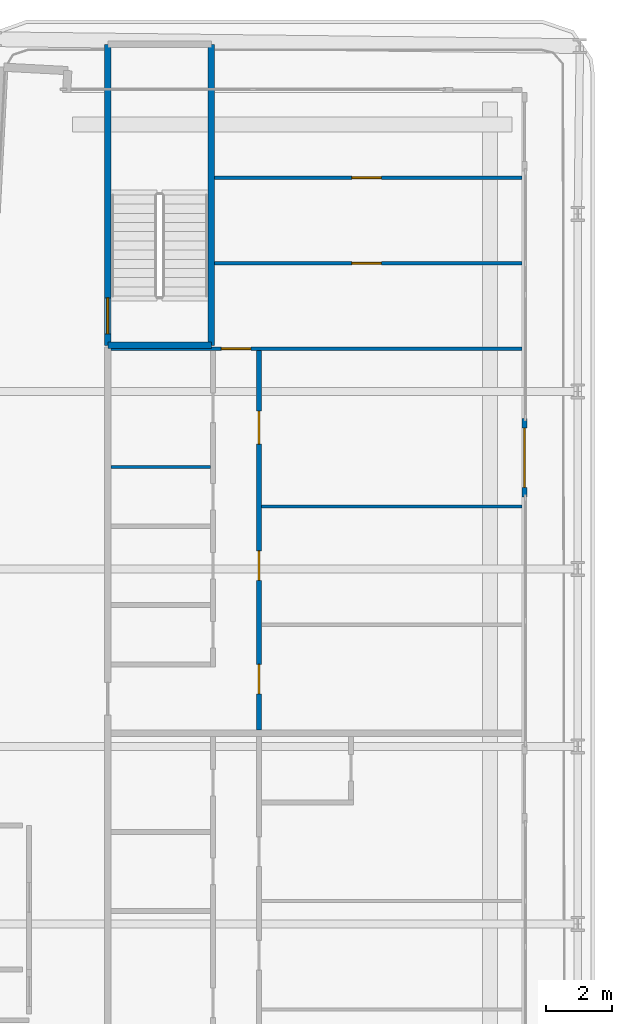
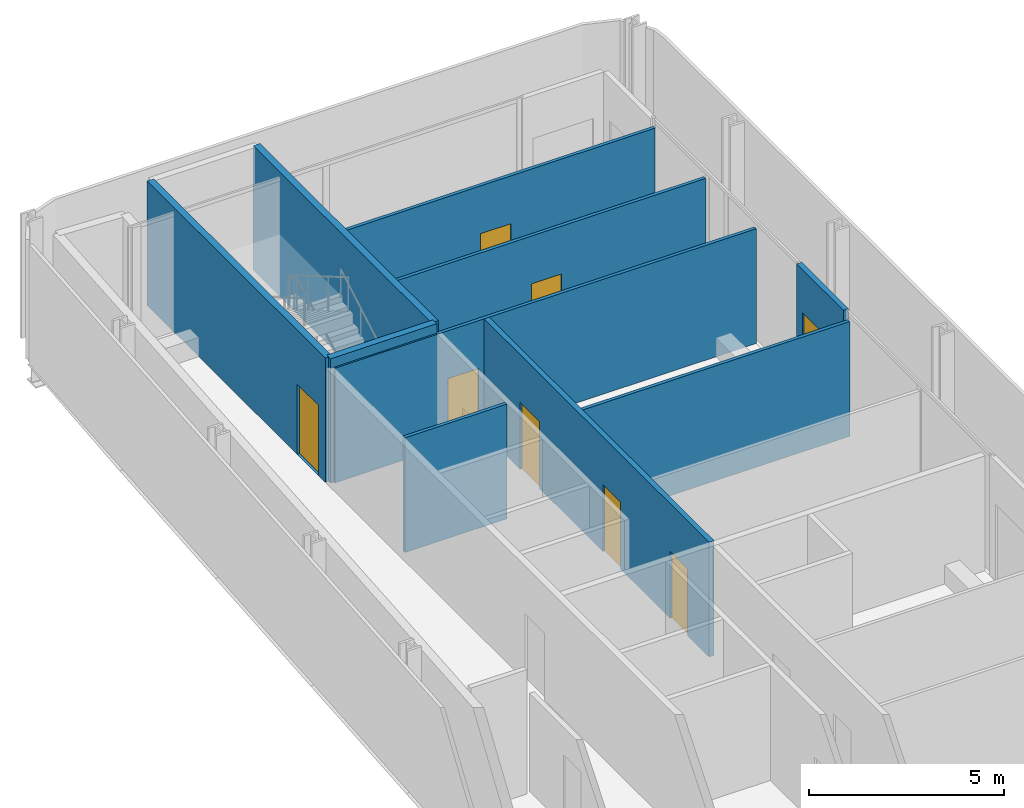
# One storey, part 18 of 27: 10 walls, 8 doors, 8 openings.
"""IFC4 building model written with IfcOpenShell, lengths in metres."""

from ifc_helpers import new_model, si_unit, direction, frame, frame_2d, origin, place, context, subcontext, project, spatial, rectangle, extrude, source, transform, mapped, material, layer, layer_set, type_object, element, fill, save


model = new_model("IFC4")

# Units and contexts
model_context = context("Model", 3, precision=1e-05, world=origin(), true_north=direction((0.0, 1.0)))
body_context = subcontext(model_context, "Body", "Model", "MODEL_VIEW")
ifc_project = project(units=[si_unit("LENGTHUNIT", "METRE"), si_unit("AREAUNIT", "SQUARE_METRE"), si_unit("VOLUMEUNIT", "CUBIC_METRE"), si_unit("PLANEANGLEUNIT", "RADIAN"), si_unit("MASSUNIT", "GRAM", prefix="KILO")], contexts=[model_context])

# Site, building, storey
site_placement = place(None, origin())
site = spatial("IfcSite", under=ifc_project, at=site_placement, CompositionType="ELEMENT")
building_placement = place(site_placement, origin())
building = spatial("IfcBuilding", under=site, at=building_placement, Name="Kheshtan School and Residences Tower", CompositionType="ELEMENT")
storey_placement = place(building_placement, frame((0.0, 0.0, 101.89990234375)))
storey = spatial("IfcBuildingStorey", under=building, at=storey_placement, Name="L23", CompositionType="ELEMENT", Elevation=101.89990234375)

# Wall, opening, door
ifc_material_1 = material(Name="Aluminium frame wall with insulated infill", Category="aluminium")
ifc_layer_1 = layer(ifc_material_1, 0.14990234375)
ifc_layer_set_1 = layer_set([ifc_layer_1], Name="Glazing frame wall 150")
wall_type_1 = type_object("IfcWallType", Name="Glazing frame wall 150", PredefinedType="SOLIDWALL", material=ifc_layer_set_1)
wall_1_placement = place(storey_placement, frame((45.97509765625, 77.181884765625, 0.0), z_axis=(0.0, 0.0, 1.0), x_axis=(0.0, -1.0, 0.0)))
wall_1 = element("IfcWall", 1, at=wall_1_placement, inside=storey, type_object=wall_type_1, Name="Balcony door wall L23 4.2", PredefinedType="SOLIDWALL", context=body_context, shape_type="SweptSolid", body=[
    extrude(rectangle(XDim=2.39990234375, YDim=0.14990234375, at=frame_2d((1.199951171875, 0.0))), origin(), (0.0, 0.0, 1.0), 3.75),
])
opening_1_placement = place(wall_1_placement, frame((0.300048828125, 0.0, 0.0)))
opening_1 = element("IfcOpeningElement", 2, at=opening_1_placement, cuts=wall_1, Name="Opening BD", PredefinedType="OPENING", context=body_context, shape_type="SweptSolid", body=[
    extrude(rectangle(XDim=1.800048828125, YDim=2.39990234375, at=frame_2d((0.89990234375, 1.199951171875))), frame((0.0, 0.0849609375, 0.0), z_axis=(0.0, -1.0, 0.0), x_axis=(1.0, 0.0, 0.0)), (0.0, 0.0, 1.0), 0.169921875),
])
ifc_material_2 = material(Name="Clear low-e glass in thermally broken aluminium frame", Category="aluminium")
door_type_1 = type_object("IfcDoorType", Name="Balcony sliding door", OperationType="SLIDING_TO_LEFT", PredefinedType="DOOR", material=ifc_material_2)
shared_shape_1 = source(origin(), body_context, "Body", "SweptSolid", [
    extrude(rectangle(XDim=1.800048828125, YDim=2.39990234375, at=frame_2d((0.89990234375, 1.199951171875))), frame((0.0, 0.02490234375, 0.0), z_axis=(0.0, -1.0, 0.0), x_axis=(1.0, 0.0, 0.0)), (0.0, 0.0, 1.0), 0.050048828125),
])
door_1_placement = place(opening_1_placement, origin())
door_1 = element("IfcDoor", 3, at=door_1_placement, inside=storey, type_object=door_type_1, Name="Balcony door L23 4.2", OperationType="SLIDING_TO_LEFT", OverallHeight=2.39990234375, OverallWidth=1.800048828125, PredefinedType="DOOR", context=body_context, shape_type="MappedRepresentation", body=[
    mapped(shared_shape_1, transform((0.0, 0.0, 0.0), x_axis=(1.0, 0.0, 0.0), y_axis=(0.0, 1.0, 0.0), z_axis=(0.0, 0.0, 1.0), scale=1.0)),
])
fill(opening_1, door_1)

# Wall
ifc_material_3 = material(Name="Gypsum board on steel studs", Category="steel")
ifc_layer_2 = layer(ifc_material_3, 0.10009765625)
ifc_layer_set_2 = layer_set([ifc_layer_2], Name="Gypsum partition 100")
wall_type_2 = type_object("IfcWallType", Name="Gypsum partition 100", PredefinedType="PARTITIONING", material=ifc_layer_set_2)
wall_2_placement = place(storey_placement, frame((33.39990234375, 75.699951171875, 0.0), z_axis=(0.0, 0.0, 1.0), x_axis=(1.0, 0.0, 0.0)))
element("IfcWall", 4, at=wall_2_placement, inside=storey, type_object=wall_type_2, Name="Partition L23-010", PredefinedType="PARTITIONING", context=body_context, shape_type="SweptSolid", body=[
    extrude(rectangle(XDim=3.025146484375, YDim=0.10009765625, at=frame_2d((1.5126953125, 0.0))), origin(), (0.0, 0.0, 1.0), 3.60009765625),
])

# Wall, opening, door
wall_3_placement = place(storey_placement, frame((33.39990234375, 79.300048828125, 0.0), z_axis=(0.0, 0.0, 1.0), x_axis=(1.0, 0.0, 0.0)))
wall_3 = element("IfcWall", 5, at=wall_3_placement, inside=storey, type_object=wall_type_2, Name="Partition L23-011", PredefinedType="PARTITIONING", context=body_context, shape_type="SweptSolid", body=[
    extrude(rectangle(XDim=12.5, YDim=0.10009765625, at=frame_2d((6.25, 0.0))), origin(), (0.0, 0.0, 1.0), 3.60009765625),
])
opening_2_placement = place(wall_3_placement, frame((3.35498046875, 0.0, 0.0)))
opening_2 = element("IfcOpeningElement", 6, at=opening_2_placement, cuts=wall_3, Name="Opening D23-047", PredefinedType="OPENING", context=body_context, shape_type="SweptSolid", body=[
    extrude(rectangle(XDim=0.89990234375, YDim=2.10009765625, at=frame_2d((0.449951171875, 1.050048828125))), frame((0.0, 0.06005859375, 0.0), z_axis=(0.0, -1.0, 0.0), x_axis=(1.0, 0.0, 0.0)), (0.0, 0.0, 1.0), 0.1201171875),
])
ifc_material_4 = material(Name="Veneered timber door leaf", Category="wood")
door_type_2 = type_object("IfcDoorType", Name="Door 900 x 2100", OperationType="SINGLE_SWING_LEFT", PredefinedType="DOOR", material=ifc_material_4)
shared_shape_2 = source(origin(), body_context, "Body", "SweptSolid", [
    extrude(rectangle(XDim=0.89990234375, YDim=2.10009765625, at=frame_2d((0.449951171875, 1.050048828125))), frame((0.0, 0.02490234375, 0.0), z_axis=(0.0, -1.0, 0.0), x_axis=(1.0, 0.0, 0.0)), (0.0, 0.0, 1.0), 0.050048828125),
])
door_2_placement = place(opening_2_placement, origin())
door_2 = element("IfcDoor", 7, at=door_2_placement, inside=storey, type_object=door_type_2, Name="Door D23-047", OperationType="SINGLE_SWING_LEFT", OverallHeight=2.10009765625, OverallWidth=0.89990234375, PredefinedType="DOOR", context=body_context, shape_type="MappedRepresentation", body=[
    mapped(shared_shape_2, transform((0.0, 0.0, 0.0), x_axis=(1.0, 0.0, 0.0), y_axis=(0.0, 1.0, 0.0), z_axis=(0.0, 0.0, 1.0), scale=1.0)),
])
fill(opening_2, door_2)

wall_4_placement = place(storey_placement, frame((36.549072265625, 81.89990234375, 0.0), z_axis=(0.0, 0.0, 1.0), x_axis=(1.0, 0.0, 0.0)))
wall_4 = element("IfcWall", 8, at=wall_4_placement, inside=storey, type_object=wall_type_2, Name="Partition L23-016", PredefinedType="PARTITIONING", context=body_context, shape_type="SweptSolid", body=[
    extrude(rectangle(XDim=9.350830078125, YDim=0.10009765625, at=frame_2d((4.67529296875, 0.0))), origin(), (0.0, 0.0, 1.0), 3.60009765625),
])
opening_3_placement = place(wall_4_placement, frame((4.176025390625, 0.0, 0.0)))
opening_3 = element("IfcOpeningElement", 9, at=opening_3_placement, cuts=wall_4, Name="Opening D23-048", PredefinedType="OPENING", context=body_context, shape_type="SweptSolid", body=[
    extrude(rectangle(XDim=0.89990234375, YDim=2.10009765625, at=frame_2d((0.449951171875, 1.050048828125))), frame((0.0, 0.06005859375, 0.0), z_axis=(0.0, -1.0, 0.0), x_axis=(1.0, 0.0, 0.0)), (0.0, 0.0, 1.0), 0.1201171875),
])
door_3_placement = place(opening_3_placement, origin())
door_3 = element("IfcDoor", 10, at=door_3_placement, inside=storey, type_object=door_type_2, Name="Door D23-048", OperationType="SINGLE_SWING_RIGHT", OverallHeight=2.10009765625, OverallWidth=0.89990234375, PredefinedType="DOOR", context=body_context, shape_type="MappedRepresentation", body=[
    mapped(shared_shape_2, transform((0.0, 0.0, 0.0), x_axis=(1.0, 0.0, 0.0), y_axis=(0.0, 1.0, 0.0), z_axis=(0.0, 0.0, 1.0), scale=1.0)),
])
fill(opening_3, door_3)

wall_5_placement = place(storey_placement, frame((36.549072265625, 84.5, 0.0), z_axis=(0.0, 0.0, 1.0), x_axis=(1.0, 0.0, 0.0)))
wall_5 = element("IfcWall", 11, at=wall_5_placement, inside=storey, type_object=wall_type_2, Name="Partition L23-017", PredefinedType="PARTITIONING", context=body_context, shape_type="SweptSolid", body=[
    extrude(rectangle(XDim=9.350830078125, YDim=0.10009765625, at=frame_2d((4.67529296875, 0.0))), origin(), (0.0, 0.0, 1.0), 3.60009765625),
])
opening_4_placement = place(wall_5_placement, frame((4.176025390625, 0.0, 0.0)))
opening_4 = element("IfcOpeningElement", 12, at=opening_4_placement, cuts=wall_5, Name="Opening D23-049", PredefinedType="OPENING", context=body_context, shape_type="SweptSolid", body=[
    extrude(rectangle(XDim=0.89990234375, YDim=2.10009765625, at=frame_2d((0.449951171875, 1.050048828125))), frame((0.0, 0.06005859375, 0.0), z_axis=(0.0, -1.0, 0.0), x_axis=(1.0, 0.0, 0.0)), (0.0, 0.0, 1.0), 0.1201171875),
])
door_4_placement = place(opening_4_placement, origin())
door_4 = element("IfcDoor", 13, at=door_4_placement, inside=storey, type_object=door_type_2, Name="Door D23-049", OperationType="SINGLE_SWING_RIGHT", OverallHeight=2.10009765625, OverallWidth=0.89990234375, PredefinedType="DOOR", context=body_context, shape_type="MappedRepresentation", body=[
    mapped(shared_shape_2, transform((0.0, 0.0, 0.0), x_axis=(1.0, 0.0, 0.0), y_axis=(0.0, 1.0, 0.0), z_axis=(0.0, 0.0, 1.0), scale=1.0)),
])
fill(opening_4, door_4)

# Walls
wall_6_placement = place(storey_placement, frame((37.97509765625, 74.5, 0.0), z_axis=(0.0, 0.0, 1.0), x_axis=(1.0, 0.0, 0.0)))
element("IfcWall", 14, at=wall_6_placement, inside=storey, type_object=wall_type_2, Name="Partition L23-024", PredefinedType="PARTITIONING", context=body_context, shape_type="SweptSolid", body=[
    extrude(rectangle(XDim=7.9248046875, YDim=0.10009765625, at=frame_2d((3.96240234375, 0.0))), origin(), (0.0, 0.0, 1.0), 3.60009765625),
])
ifc_material_5 = material(Name="Concrete C40/50", Category="concrete")
ifc_layer_3 = layer(ifc_material_5, 0.199951171875)
ifc_layer_set_3 = layer_set([ifc_layer_3], Name="Stair enclosure wall 200 Concrete C40/50")
wall_type_3 = type_object("IfcWallType", Name="Stair enclosure wall 200 Concrete C40/50", PredefinedType="SHEAR", material=ifc_layer_set_3)
wall_7_placement = place(storey_placement, frame((33.300048828125, 79.39990234375, 0.0), z_axis=(0.0, 0.0, 1.0), x_axis=(1.0, 0.0, 0.0)))
element("IfcWall", 15, at=wall_7_placement, inside=storey, type_object=wall_type_3, Name="Stair enclosure wall ST3", PredefinedType="SHEAR", context=body_context, shape_type="SweptSolid", body=[
    extrude(rectangle(XDim=3.14990234375, YDim=0.199951171875, at=frame_2d((1.574951171875, 0.0))), origin(), (0.0, 0.0, 1.0), 3.900146484375),
])

# Wall, opening, door
wall_8_placement = place(storey_placement, frame((33.300048828125, 79.39990234375, 0.0), z_axis=(0.0, 0.0, 1.0), x_axis=(0.0, 1.0, 0.0)))
wall_8 = element("IfcWall", 16, at=wall_8_placement, inside=storey, type_object=wall_type_3, Name="Stair enclosure wall ST3", PredefinedType="SHEAR", context=body_context, shape_type="SweptSolid", body=[
    extrude(rectangle(XDim=9.16015625, YDim=0.199951171875, at=frame_2d((4.580078125, 0.0))), origin(), (0.0, 0.0, 1.0), 3.900146484375),
])
opening_5_placement = place(wall_8_placement, frame((0.35009765625, 0.0, 0.0)))
opening_5 = element("IfcOpeningElement", 17, at=opening_5_placement, cuts=wall_8, Name="Opening ST3D", PredefinedType="OPENING", context=body_context, shape_type="SweptSolid", body=[
    extrude(rectangle(XDim=1.10009765625, YDim=2.199951171875, at=frame_2d((0.550048828125, 1.10009765625))), frame((0.0, 0.10986328125, 0.0), z_axis=(0.0, -1.0, 0.0), x_axis=(1.0, 0.0, 0.0)), (0.0, 0.0, 1.0), 0.219970703125),
])
ifc_material_6 = material(Name="Steel door leaf, galvanised", Category="steel")
door_type_3 = type_object("IfcDoorType", Name="Stair door 1100 steel 90 min", OperationType="SINGLE_SWING_LEFT", PredefinedType="DOOR", material=ifc_material_6)
shared_shape_3 = source(origin(), body_context, "Body", "SweptSolid", [
    extrude(rectangle(XDim=1.10009765625, YDim=2.199951171875, at=frame_2d((0.550048828125, 1.10009765625))), frame((0.0, 0.02490234375, 0.0), z_axis=(0.0, -1.0, 0.0), x_axis=(1.0, 0.0, 0.0)), (0.0, 0.0, 1.0), 0.050048828125),
])
door_5_placement = place(opening_5_placement, origin())
door_5 = element("IfcDoor", 18, at=door_5_placement, inside=storey, type_object=door_type_3, Name="Stair ST3 door", OperationType="SINGLE_SWING_RIGHT", OverallHeight=2.199951171875, OverallWidth=1.10009765625, PredefinedType="DOOR", context=body_context, shape_type="MappedRepresentation", body=[
    mapped(shared_shape_3, transform((0.0, 0.0, 0.0), x_axis=(1.0, 0.0, 0.0), y_axis=(0.0, 1.0, 0.0), z_axis=(0.0, 0.0, 1.0), scale=1.0)),
])
fill(opening_5, door_5)

# Wall
wall_9_placement = place(storey_placement, frame((36.449951171875, 79.39990234375, 0.0), z_axis=(0.0, 0.0, 1.0), x_axis=(0.0, 1.0, 0.0)))
element("IfcWall", 19, at=wall_9_placement, inside=storey, type_object=wall_type_3, Name="Stair enclosure wall ST3", PredefinedType="SHEAR", context=body_context, shape_type="SweptSolid", body=[
    extrude(rectangle(XDim=9.16015625, YDim=0.199951171875, at=frame_2d((4.580078125, 0.0))), origin(), (0.0, 0.0, 1.0), 3.900146484375),
])

# Wall, openings, doors
ifc_material_7 = material(Name="Moisture-resistant gypsum board on steel studs", Category="steel")
ifc_layer_4 = layer(ifc_material_7, 0.14990234375)
ifc_layer_set_4 = layer_set([ifc_layer_4], Name="Wet-room partition 150")
wall_type_4 = type_object("IfcWallType", Name="Wet-room partition 150", PredefinedType="PARTITIONING", material=ifc_layer_set_4)
wall_10_placement = place(storey_placement, frame((37.89990234375, 67.699951171875, 0.0), z_axis=(0.0, 0.0, 1.0), x_axis=(0.0, 1.0, 0.0)))
wall_10 = element("IfcWall", 20, at=wall_10_placement, inside=storey, type_object=wall_type_4, Name="Partition L23-019", PredefinedType="PARTITIONING", context=body_context, shape_type="SweptSolid", body=[
    extrude(rectangle(XDim=11.550048828125, YDim=0.14990234375, at=frame_2d((5.77490234375, 0.0))), origin(), (0.0, 0.0, 1.0), 3.60009765625),
])
opening_6_placement = place(wall_10_placement, frame((4.550048828125, 0.0, 0.0)))
opening_6 = element("IfcOpeningElement", 21, at=opening_6_placement, cuts=wall_10, Name="Opening D23-040", PredefinedType="OPENING", context=body_context, shape_type="SweptSolid", body=[
    extrude(rectangle(XDim=0.89990234375, YDim=2.10009765625, at=frame_2d((0.449951171875, 1.050048828125))), frame((0.0, 0.0849609375, 0.0), z_axis=(0.0, -1.0, 0.0), x_axis=(1.0, 0.0, 0.0)), (0.0, 0.0, 1.0), 0.169921875),
])
opening_7_placement = place(wall_10_placement, frame((8.699951171875, 0.0, 0.0)))
opening_7 = element("IfcOpeningElement", 22, at=opening_7_placement, cuts=wall_10, Name="Opening D23-043", PredefinedType="OPENING", context=body_context, shape_type="SweptSolid", body=[
    extrude(rectangle(XDim=1.0, YDim=2.10009765625, at=frame_2d((0.5, 1.050048828125))), frame((0.0, 0.0849609375, 0.0), z_axis=(0.0, -1.0, 0.0), x_axis=(1.0, 0.0, 0.0)), (0.0, 0.0, 1.0), 0.169921875),
])
opening_8_placement = place(wall_10_placement, frame((1.10009765625, 0.0, 0.0)))
opening_8 = element("IfcOpeningElement", 23, at=opening_8_placement, cuts=wall_10, Name="Opening D23-044", PredefinedType="OPENING", context=body_context, shape_type="SweptSolid", body=[
    extrude(rectangle(XDim=0.89990234375, YDim=2.10009765625, at=frame_2d((0.449951171875, 1.050048828125))), frame((0.0, 0.0849609375, 0.0), z_axis=(0.0, -1.0, 0.0), x_axis=(1.0, 0.0, 0.0)), (0.0, 0.0, 1.0), 0.169921875),
])
door_type_4 = type_object("IfcDoorType", Name="Door 1000 x 2100", OperationType="SINGLE_SWING_LEFT", PredefinedType="DOOR", material=ifc_material_4)
shared_shape_4 = source(origin(), body_context, "Body", "SweptSolid", [
    extrude(rectangle(XDim=1.0, YDim=2.10009765625, at=frame_2d((0.5, 1.050048828125))), frame((0.0, 0.02490234375, 0.0), z_axis=(0.0, -1.0, 0.0), x_axis=(1.0, 0.0, 0.0)), (0.0, 0.0, 1.0), 0.050048828125),
])
door_6_placement = place(opening_7_placement, origin())
door_6 = element("IfcDoor", 24, at=door_6_placement, inside=storey, type_object=door_type_4, Name="Door D23-043", OperationType="SINGLE_SWING_LEFT", OverallHeight=2.10009765625, OverallWidth=1.0, PredefinedType="DOOR", context=body_context, shape_type="MappedRepresentation", body=[
    mapped(shared_shape_4, transform((0.0, 0.0, 0.0), x_axis=(1.0, 0.0, 0.0), y_axis=(0.0, 1.0, 0.0), z_axis=(0.0, 0.0, 1.0), scale=1.0)),
])
fill(opening_7, door_6)
door_7_placement = place(opening_6_placement, origin())
door_7 = element("IfcDoor", 25, at=door_7_placement, inside=storey, type_object=door_type_2, Name="Door D23-040", OperationType="SINGLE_SWING_RIGHT", OverallHeight=2.10009765625, OverallWidth=0.89990234375, PredefinedType="DOOR", context=body_context, shape_type="MappedRepresentation", body=[
    mapped(shared_shape_2, transform((0.0, 0.0, 0.0), x_axis=(1.0, 0.0, 0.0), y_axis=(0.0, 1.0, 0.0), z_axis=(0.0, 0.0, 1.0), scale=1.0)),
])
fill(opening_6, door_7)
door_8_placement = place(opening_8_placement, origin())
door_8 = element("IfcDoor", 26, at=door_8_placement, inside=storey, type_object=door_type_2, Name="Door D23-044", OperationType="SINGLE_SWING_LEFT", OverallHeight=2.10009765625, OverallWidth=0.89990234375, PredefinedType="DOOR", context=body_context, shape_type="MappedRepresentation", body=[
    mapped(shared_shape_2, transform((0.0, 0.0, 0.0), x_axis=(1.0, 0.0, 0.0), y_axis=(0.0, 1.0, 0.0), z_axis=(0.0, 0.0, 1.0), scale=1.0)),
])
fill(opening_8, door_8)

save(model, "model.ifc")
